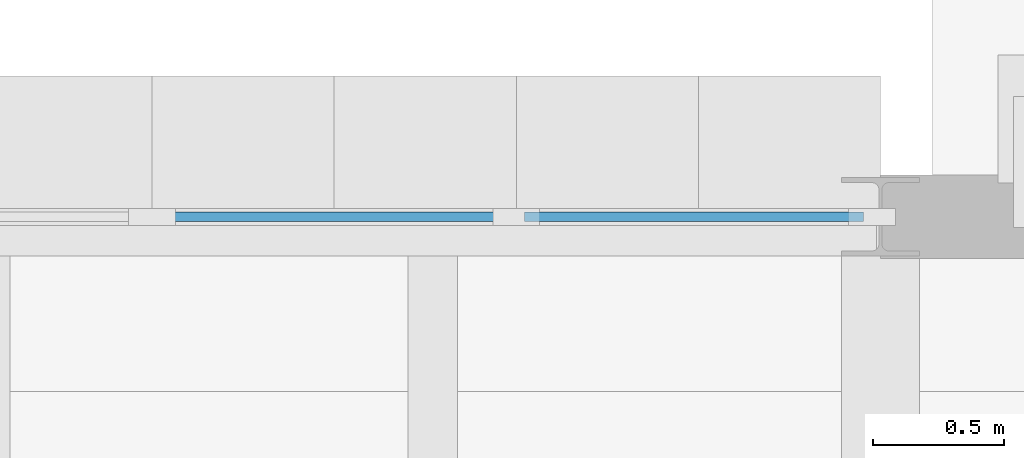
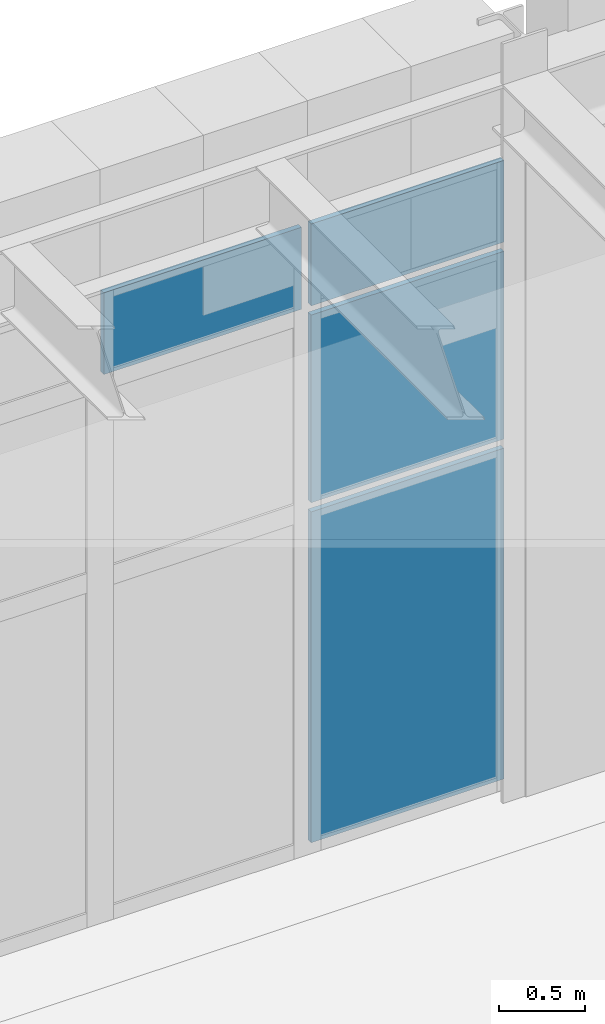
# One storey, part 55 of 100: 4 plates, 1 element without a shape of its own.
"""IFC4 building model written with IfcOpenShell, lengths in metres."""

from ifc_helpers import new_model, si_unit, direction, frame, origin, origin_2d, place, context, subcontext, project, spatial, rectangle, extrude, material, layer, layer_set, type_object, element, aggregate, save


model = new_model("IFC4")

# Units and contexts
model_context = context("Model", 3, precision=1e-05, world=origin(), true_north=direction((0.0, 1.0)))
body_context = subcontext(model_context, "Body", "Model", "MODEL_VIEW")
ifc_project = project(units=[si_unit("LENGTHUNIT", "METRE"), si_unit("AREAUNIT", "SQUARE_METRE"), si_unit("VOLUMEUNIT", "CUBIC_METRE"), si_unit("PLANEANGLEUNIT", "RADIAN"), si_unit("MASSUNIT", "GRAM", prefix="KILO")], contexts=[model_context])

# Site, building, storey
site_placement = place(None, origin())
site = spatial("IfcSite", under=ifc_project, at=site_placement, CompositionType="ELEMENT")
building_placement = place(site_placement, origin())
building = spatial("IfcBuilding", under=site, at=building_placement, Name="Zlatogorsky Bluff Art Gallery", CompositionType="ELEMENT")
storey_placement = place(building_placement, frame((0.0, 0.0, 5.39990234375)))
storey = spatial("IfcBuildingStorey", under=building, at=storey_placement, Name="L01", CompositionType="ELEMENT", Elevation=5.39990234375)

# Curtain wall, plates
ifc_material_1 = material(Name="Anodised Bronze Aluminium and Low-Iron Triple Glazing", Category="aluminium")
ifc_layer_1 = layer(ifc_material_1, 0.179931640625)
ifc_layer_set_1 = layer_set([ifc_layer_1], Name="Curtain Wall CW-01")
curtain_wall_type = type_object("IfcCurtainWallType", Name="Curtain Wall CW-01", PredefinedType="USERDEFINED", material=ifc_layer_set_1)
curtain_wall_placement = place(storey_placement, origin())
curtain_wall = element("IfcCurtainWall", 1, at=curtain_wall_placement, inside=storey, type_object=curtain_wall_type, Name="Unitised curtain wall CW-01 L01 N 11.9-A", ObjectType="CURTAIN WALL", PredefinedType="USERDEFINED")
ifc_material_2 = material(Name="Low-Iron Laminated Triple Glazing", Category="glass")
ifc_layer_2 = layer(ifc_material_2, 0.035888671875)
ifc_layer_set_2 = layer_set([ifc_layer_2], Name="Glazed Curtain Panel CWP-01")
plate_type = type_object("IfcPlateType", Name="Glazed Curtain Panel CWP-01", PredefinedType="CURTAIN_PANEL", material=ifc_layer_set_2)
plate_1_placement = place(storey_placement, frame((143.2861328125, 108.0, 0.065185546875), z_axis=(0.0, 0.0, 1.0), x_axis=(-1.0, 0.0, 0.0)))
plate_1 = element("IfcPlate", 2, at=plate_1_placement, type_object=plate_type, Name="CW-01 panel 1.1", PredefinedType="CURTAIN_PANEL", context=body_context, shape_type="SweptSolid", body=[
    extrude(rectangle(XDim=1.297607421875, YDim=0.035888671875, at=origin_2d()), origin(), (0.0, 0.0, 1.0), 2.3525390625),
])
plate_2_placement = place(storey_placement, frame((143.2861328125, 108.0, 2.482666015625), z_axis=(0.0, 0.0, 1.0), x_axis=(-1.0, 0.0, 0.0)))
plate_2 = element("IfcPlate", 3, at=plate_2_placement, type_object=plate_type, Name="CW-01 panel 1.2", PredefinedType="CURTAIN_PANEL", context=body_context, shape_type="SweptSolid", body=[
    extrude(rectangle(XDim=1.297607421875, YDim=0.035888671875, at=origin_2d()), origin(), (0.0, 0.0, 1.0), 1.3349609375),
])
plate_3_placement = place(storey_placement, frame((143.2861328125, 108.0, 3.882568359375), z_axis=(0.0, 0.0, 1.0), x_axis=(-1.0, 0.0, 0.0)))
plate_3 = element("IfcPlate", 4, at=plate_3_placement, type_object=plate_type, Name="CW-01 panel 1.3", PredefinedType="CURTAIN_PANEL", context=body_context, shape_type="SweptSolid", body=[
    extrude(rectangle(XDim=1.297607421875, YDim=0.035888671875, at=origin_2d()), origin(), (0.0, 0.0, 1.0), 0.58251953125),
])
plate_4_placement = place(storey_placement, frame((141.907470703125, 108.0, 3.882568359375), z_axis=(0.0, 0.0, 1.0), x_axis=(-1.0, 0.0, 0.0)))
plate_4 = element("IfcPlate", 5, at=plate_4_placement, type_object=plate_type, Name="CW-01 panel 2.3", PredefinedType="CURTAIN_PANEL", context=body_context, shape_type="SweptSolid", body=[
    extrude(rectangle(XDim=1.330078125, YDim=0.035888671875, at=origin_2d()), origin(), (0.0, 0.0, 1.0), 0.58251953125),
])
aggregate(curtain_wall, [plate_1, plate_2, plate_3, plate_4])

save(model, "model.ifc")
